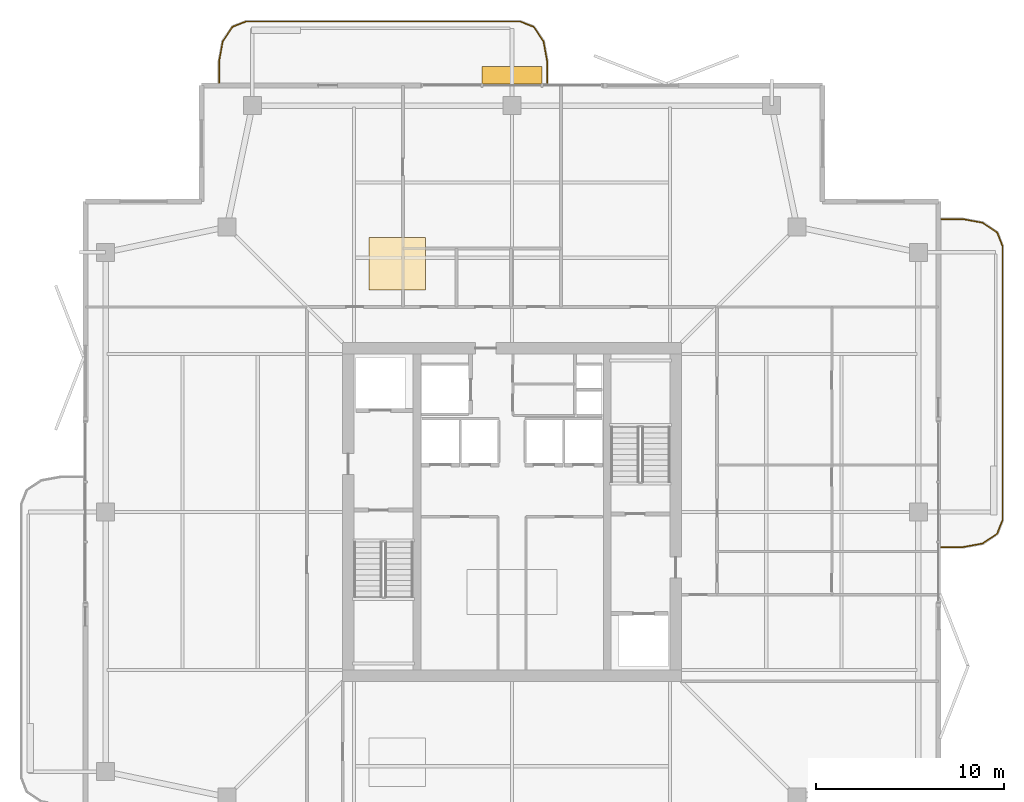
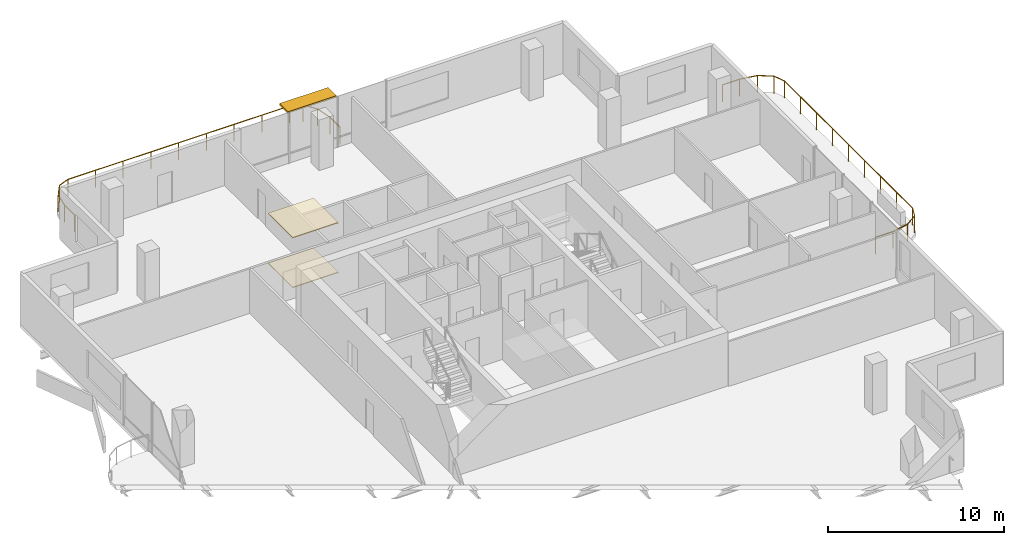
# One storey, part 18 of 18: 2 coverings, 2 railings, 1 shading device.
"""IFC4 building model written with IfcOpenShell, lengths in metres."""

from ifc_helpers import new_model, si_unit, direction, frame, origin, origin_2d, place, context, subcontext, project, spatial, polyline, rectangle, outline, extrude, material, layer, layer_set, type_object, element, save


model = new_model("IFC4")

# Units and contexts
model_context = context("Model", 3, precision=1e-05, world=origin(), true_north=direction((0.0, 1.0)))
body_context = subcontext(model_context, "Body", "Model", "MODEL_VIEW")
ifc_project = project(units=[si_unit("LENGTHUNIT", "METRE"), si_unit("AREAUNIT", "SQUARE_METRE"), si_unit("VOLUMEUNIT", "CUBIC_METRE"), si_unit("PLANEANGLEUNIT", "RADIAN"), si_unit("MASSUNIT", "GRAM", prefix="KILO")], contexts=[model_context])

# Site, building, storey
site_placement = place(None, origin())
site = spatial("IfcSite", under=ifc_project, at=site_placement, CompositionType="ELEMENT")
building_placement = place(site_placement, origin())
building = spatial("IfcBuilding", under=site, at=building_placement, Name="Belovzor Exchange Tower", CompositionType="ELEMENT")
storey_placement = place(building_placement, frame((0.0, 0.0, 318.0)))
storey = spatial("IfcBuildingStorey", under=building, at=storey_placement, Name="L79", CompositionType="ELEMENT", Elevation=318.0)

# Railings
ifc_material_1 = material(Name="Stainless Steel and Laminated Safety Glass", Category="steel")
railing_type = type_object("IfcRailingType", Name="Laminated Glass & Stainless Steel Balcony Balustrade 1200", PredefinedType="BALUSTRADE", material=ifc_material_1)
railing_1_placement = place(storey_placement, frame((30.669921875, 51.610107421875, 0.0)))
element("IfcRailing", 1, at=railing_1_placement, inside=storey, type_object=railing_type, Name="GR-1 Balcony Balustrade L79 North", PredefinedType="BALUSTRADE", context=body_context, shape_type="SweptSolid", body=[
    extrude(rectangle(XDim=0.048095703125, YDim=0.048095703125, at=origin_2d()), frame((0.0, 0.0, 1.17578125), z_axis=(0.0, 1.0, 0.0), x_axis=(-1.0, 0.0, 0.0)), (0.0, 0.0, 1.0), 1.1328125),
    extrude(rectangle(XDim=0.048095703125, YDim=0.048095703125, at=origin_2d()), frame((0.0, 1.1328125, 1.17578125), z_axis=(-0.180083182347, 0.983651385113, 0.0), x_axis=(-0.983651385113, -0.180083182347, 0.0)), (0.0, 0.0, 1.0), 1.093994140625),
    extrude(rectangle(XDim=0.048095703125, YDim=0.048095703125, at=origin_2d()), frame((-0.197021484375, 2.208984375, 1.17578125), z_axis=(-0.562768145367, 0.826614792125, 0.0), x_axis=(-0.826614792125, -0.562768145367, 0.0)), (0.0, 0.0, 1.0), 0.9326171875),
    extrude(rectangle(XDim=0.048095703125, YDim=0.048095703125, at=origin_2d()), frame((-0.721923828125, 2.97998046875, 1.17578125), z_axis=(-0.930766990125, 0.365612923861, 0.0), x_axis=(-0.365612923861, -0.930766990125, 0.0)), (0.0, 0.0, 1.0), 0.765869140625),
    extrude(rectangle(XDim=0.048095703125, YDim=0.048095703125, at=origin_2d()), frame((-1.434814453125, 3.260009765625, 1.17578125), z_axis=(-1.0, 0.0, 0.0), x_axis=(0.0, -1.0, 0.0)), (0.0, 0.0, 1.0), 14.570068359375),
    extrude(rectangle(XDim=0.048095703125, YDim=0.048095703125, at=origin_2d()), frame((-16.0048828125, 3.260009765625, 1.17578125), z_axis=(-0.930809580156, -0.365504480807, 0.0), x_axis=(0.365504480807, -0.930809580156, 0.0)), (0.0, 0.0, 1.0), 0.76611328125),
    extrude(rectangle(XDim=0.048095703125, YDim=0.048095703125, at=origin_2d()), frame((-16.718017578125, 2.97998046875, 1.17578125), z_axis=(-0.562768145367, -0.826614792125, 0.0), x_axis=(0.826614792125, -0.562768145367, 0.0)), (0.0, 0.0, 1.0), 0.9326171875),
    extrude(rectangle(XDim=0.048095703125, YDim=0.048095703125, at=origin_2d()), frame((-17.242919921875, 2.208984375, 1.17578125), z_axis=(-0.180083182347, -0.983651385113, 0.0), x_axis=(0.983651385113, -0.180083182347, 0.0)), (0.0, 0.0, 1.0), 1.093994140625),
    extrude(rectangle(XDim=0.048095703125, YDim=0.048095703125, at=origin_2d()), frame((-17.43994140625, 1.1328125, 1.17578125), z_axis=(0.0, -1.0, 0.0), x_axis=(1.0, 0.0, 0.0)), (0.0, 0.0, 1.0), 1.1328125),
    extrude(rectangle(XDim=0.0419921875, YDim=0.0419921875, at=origin_2d()), origin(), (0.0, 0.0, 1.0), 1.15185546875),
    extrude(rectangle(XDim=0.0419921875, YDim=0.0419921875, at=origin_2d()), frame((0.0, 1.1328125, 0.0)), (0.0, 0.0, 1.0), 1.15185546875),
    extrude(rectangle(XDim=0.0419921875, YDim=0.0419921875, at=origin_2d()), frame((-0.197021484375, 2.208984375, 0.0)), (0.0, 0.0, 1.0), 1.15185546875),
    extrude(rectangle(XDim=0.0419921875, YDim=0.0419921875, at=origin_2d()), frame((-0.721923828125, 2.97998046875, 0.0)), (0.0, 0.0, 1.0), 1.15185546875),
    extrude(rectangle(XDim=0.0419921875, YDim=0.0419921875, at=origin_2d()), frame((-1.434814453125, 3.260009765625, 0.0)), (0.0, 0.0, 1.0), 1.15185546875),
    extrude(rectangle(XDim=0.0419921875, YDim=0.0419921875, at=origin_2d()), frame((-3.256103515625, 3.260009765625, 0.0)), (0.0, 0.0, 1.0), 1.15185546875),
    extrude(rectangle(XDim=0.0419921875, YDim=0.0419921875, at=origin_2d()), frame((-5.077392578125, 3.260009765625, 0.0)), (0.0, 0.0, 1.0), 1.15185546875),
    extrude(rectangle(XDim=0.0419921875, YDim=0.0419921875, at=origin_2d()), frame((-6.898681640625, 3.260009765625, 0.0)), (0.0, 0.0, 1.0), 1.15185546875),
    extrude(rectangle(XDim=0.0419921875, YDim=0.0419921875, at=origin_2d()), frame((-8.7197265625, 3.260009765625, 0.0)), (0.0, 0.0, 1.0), 1.15185546875),
    extrude(rectangle(XDim=0.0419921875, YDim=0.0419921875, at=origin_2d()), frame((-10.541015625, 3.260009765625, 0.0)), (0.0, 0.0, 1.0), 1.15185546875),
    extrude(rectangle(XDim=0.0419921875, YDim=0.0419921875, at=origin_2d()), frame((-12.3623046875, 3.260009765625, 0.0)), (0.0, 0.0, 1.0), 1.15185546875),
    extrude(rectangle(XDim=0.0419921875, YDim=0.0419921875, at=origin_2d()), frame((-14.18359375, 3.260009765625, 0.0)), (0.0, 0.0, 1.0), 1.15185546875),
    extrude(rectangle(XDim=0.0419921875, YDim=0.0419921875, at=origin_2d()), frame((-16.0048828125, 3.260009765625, 0.0)), (0.0, 0.0, 1.0), 1.15185546875),
    extrude(rectangle(XDim=0.0419921875, YDim=0.0419921875, at=origin_2d()), frame((-16.718017578125, 2.97998046875, 0.0)), (0.0, 0.0, 1.0), 1.15185546875),
    extrude(rectangle(XDim=0.0419921875, YDim=0.0419921875, at=origin_2d()), frame((-17.242919921875, 2.208984375, 0.0)), (0.0, 0.0, 1.0), 1.15185546875),
    extrude(rectangle(XDim=0.0419921875, YDim=0.0419921875, at=origin_2d()), frame((-17.43994140625, 1.1328125, 0.0)), (0.0, 0.0, 1.0), 1.15185546875),
    extrude(rectangle(XDim=0.0419921875, YDim=0.0419921875, at=origin_2d()), frame((-17.43994140625, 0.0, 0.0)), (0.0, 0.0, 1.0), 1.15185546875),
])
railing_2_placement = place(storey_placement, frame((51.610107421875, 26.929931640625, 0.0)))
element("IfcRailing", 2, at=railing_2_placement, inside=storey, type_object=railing_type, Name="GR-1 Balcony Balustrade L79 East", PredefinedType="BALUSTRADE", context=body_context, shape_type="SweptSolid", body=[
    extrude(rectangle(XDim=0.048095703125, YDim=0.048095703125, at=origin_2d()), frame((0.0, 0.0, 1.17578125), z_axis=(1.0, 0.0, 0.0), x_axis=(0.0, 1.0, 0.0)), (0.0, 0.0, 1.0), 1.1328125),
    extrude(rectangle(XDim=0.048095703125, YDim=0.048095703125, at=origin_2d()), frame((1.1328125, 0.0, 1.17578125), z_axis=(0.983651385113, 0.180083182347, 0.0), x_axis=(-0.180083182347, 0.983651385113, 0.0)), (0.0, 0.0, 1.0), 1.093994140625),
    extrude(rectangle(XDim=0.048095703125, YDim=0.048095703125, at=origin_2d()), frame((2.208984375, 0.197021484375, 1.17578125), z_axis=(0.826493025367, 0.56294695933, 0.0), x_axis=(-0.56294695933, 0.826493025367, 0.0)), (0.0, 0.0, 1.0), 0.932861328125),
    extrude(rectangle(XDim=0.048095703125, YDim=0.048095703125, at=origin_2d()), frame((2.97998046875, 0.72216796875, 1.17578125), z_axis=(0.365612923861, 0.930766990125, 0.0), x_axis=(-0.930766990125, 0.365612923861, 0.0)), (0.0, 0.0, 1.0), 0.765869140625),
    extrude(rectangle(XDim=0.048095703125, YDim=0.048095703125, at=origin_2d()), frame((3.260009765625, 1.43505859375, 1.17578125), z_axis=(0.0, 1.0, 0.0), x_axis=(-1.0, 0.0, 0.0)), (0.0, 0.0, 1.0), 14.570068359375),
    extrude(rectangle(XDim=0.048095703125, YDim=0.048095703125, at=origin_2d()), frame((3.260009765625, 16.005126953125, 1.17578125), z_axis=(-0.365612923861, 0.930766990125, 0.0), x_axis=(-0.930766990125, -0.365612923861, 0.0)), (0.0, 0.0, 1.0), 0.765869140625),
    extrude(rectangle(XDim=0.048095703125, YDim=0.048095703125, at=origin_2d()), frame((2.97998046875, 16.718017578125, 1.17578125), z_axis=(-0.826493025367, 0.56294695933, 0.0), x_axis=(-0.56294695933, -0.826493025367, 0.0)), (0.0, 0.0, 1.0), 0.932861328125),
    extrude(rectangle(XDim=0.048095703125, YDim=0.048095703125, at=origin_2d()), frame((2.208984375, 17.2431640625, 1.17578125), z_axis=(-0.983651385113, 0.180083182347, 0.0), x_axis=(-0.180083182347, -0.983651385113, 0.0)), (0.0, 0.0, 1.0), 1.093994140625),
    extrude(rectangle(XDim=0.048095703125, YDim=0.048095703125, at=origin_2d()), frame((1.1328125, 17.440185546875, 1.17578125), z_axis=(-1.0, 0.0, 0.0), x_axis=(0.0, -1.0, 0.0)), (0.0, 0.0, 1.0), 1.1328125),
    extrude(rectangle(XDim=0.0419921875, YDim=0.0419921875, at=origin_2d()), origin(), (0.0, 0.0, 1.0), 1.15185546875),
    extrude(rectangle(XDim=0.0419921875, YDim=0.0419921875, at=origin_2d()), frame((1.1328125, 0.0, 0.0)), (0.0, 0.0, 1.0), 1.15185546875),
    extrude(rectangle(XDim=0.0419921875, YDim=0.0419921875, at=origin_2d()), frame((2.208984375, 0.197021484375, 0.0)), (0.0, 0.0, 1.0), 1.15185546875),
    extrude(rectangle(XDim=0.0419921875, YDim=0.0419921875, at=origin_2d()), frame((2.97998046875, 0.72216796875, 0.0)), (0.0, 0.0, 1.0), 1.15185546875),
    extrude(rectangle(XDim=0.0419921875, YDim=0.0419921875, at=origin_2d()), frame((3.260009765625, 1.43505859375, 0.0)), (0.0, 0.0, 1.0), 1.15185546875),
    extrude(rectangle(XDim=0.0419921875, YDim=0.0419921875, at=origin_2d()), frame((3.260009765625, 3.25634765625, 0.0)), (0.0, 0.0, 1.0), 1.15185546875),
    extrude(rectangle(XDim=0.0419921875, YDim=0.0419921875, at=origin_2d()), frame((3.260009765625, 5.07763671875, 0.0)), (0.0, 0.0, 1.0), 1.15185546875),
    extrude(rectangle(XDim=0.0419921875, YDim=0.0419921875, at=origin_2d()), frame((3.260009765625, 6.89892578125, 0.0)), (0.0, 0.0, 1.0), 1.15185546875),
    extrude(rectangle(XDim=0.0419921875, YDim=0.0419921875, at=origin_2d()), frame((3.260009765625, 8.72021484375, 0.0)), (0.0, 0.0, 1.0), 1.15185546875),
    extrude(rectangle(XDim=0.0419921875, YDim=0.0419921875, at=origin_2d()), frame((3.260009765625, 10.541259765625, 0.0)), (0.0, 0.0, 1.0), 1.15185546875),
    extrude(rectangle(XDim=0.0419921875, YDim=0.0419921875, at=origin_2d()), frame((3.260009765625, 12.362548828125, 0.0)), (0.0, 0.0, 1.0), 1.15185546875),
    extrude(rectangle(XDim=0.0419921875, YDim=0.0419921875, at=origin_2d()), frame((3.260009765625, 14.183837890625, 0.0)), (0.0, 0.0, 1.0), 1.15185546875),
    extrude(rectangle(XDim=0.0419921875, YDim=0.0419921875, at=origin_2d()), frame((3.260009765625, 16.005126953125, 0.0)), (0.0, 0.0, 1.0), 1.15185546875),
    extrude(rectangle(XDim=0.0419921875, YDim=0.0419921875, at=origin_2d()), frame((2.97998046875, 16.718017578125, 0.0)), (0.0, 0.0, 1.0), 1.15185546875),
    extrude(rectangle(XDim=0.0419921875, YDim=0.0419921875, at=origin_2d()), frame((2.208984375, 17.2431640625, 0.0)), (0.0, 0.0, 1.0), 1.15185546875),
    extrude(rectangle(XDim=0.0419921875, YDim=0.0419921875, at=origin_2d()), frame((1.1328125, 17.440185546875, 0.0)), (0.0, 0.0, 1.0), 1.15185546875),
    extrude(rectangle(XDim=0.0419921875, YDim=0.0419921875, at=origin_2d()), frame((0.0, 17.440185546875, 0.0)), (0.0, 0.0, 1.0), 1.15185546875),
])

# Coverings
ifc_material_2 = material(Name="Perforated Powder-Coated Aluminium", Category="aluminium")
ifc_layer_1 = layer(ifc_material_2, 0.06005859375)
ifc_layer_set_1 = layer_set([ifc_layer_1], Name="Perforated Powder-Coated Aluminium")
covering_type_1 = type_object("IfcCoveringType", Name="Perforated Acoustic Metal Tile Suspended Ceiling 60", PredefinedType="CEILING", material=ifc_layer_set_1)
covering_1_placement = place(storey_placement, frame((0.0, 0.0, 3.449951171875)))
element("IfcCovering", 3, at=covering_1_placement, inside=storey, type_object=covering_type_1, Name="CLG-AC60 Suspended Ceiling CLG-L79-Z3", PredefinedType="CEILING", context=body_context, shape_type="SweptSolid", body=[
    extrude(outline(polyline([(21.199951171875, 40.60009765625), (24.199951171875, 40.60009765625), (24.199951171875, 43.39990234375), (21.199951171875, 43.39990234375), (21.199951171875, 40.60009765625)])), origin(), (0.0, 0.0, 1.0), 0.06005859375),
])
ifc_material_3 = material(Name="Polished Natural Granite Tile", Category="masonry")
ifc_layer_2 = layer(ifc_material_3, 0.050048828125)
ifc_layer_set_2 = layer_set([ifc_layer_2], Name="Polished Natural Granite Tile")
covering_type_2 = type_object("IfcCoveringType", Name="Polished Karelian Granite & Raised Access Floor Finish 50", PredefinedType="FLOORING", material=ifc_layer_set_2)
covering_2_placement = place(storey_placement, origin())
element("IfcCovering", 4, at=covering_2_placement, inside=storey, type_object=covering_type_2, Name="FLR-GR50 Floor Finish FLR-L79-Z3", PredefinedType="FLOORING", context=body_context, shape_type="SweptSolid", body=[
    extrude(outline(polyline([(21.199951171875, 40.60009765625), (24.199951171875, 40.60009765625), (24.199951171875, 43.39990234375), (21.199951171875, 43.39990234375), (21.199951171875, 40.60009765625)])), origin(), (0.0, 0.0, 1.0), 0.050048828125),
])

# Shading device
ifc_material_4 = material(Name="Extruded Architectural Terracotta", Category="masonry")
ifc_layer_3 = layer(ifc_material_4, 0.1201171875)
ifc_layer_set_3 = layer_set([ifc_layer_3], Name="Extruded Architectural Terracotta")
shading_device_type = type_object("IfcShadingDeviceType", Name="Streamline Terracotta Horizontal Sunshade Hood 950", PredefinedType="AWNING", material=ifc_layer_set_3)
shading_device_placement = place(storey_placement, frame((28.800048828125, 52.014892578125, 3.389892578125), z_axis=(0.0, 0.0, 1.0), x_axis=(1.0, 0.0, 0.0)))
element("IfcShadingDevice", 5, at=shading_device_placement, inside=storey, type_object=shading_device_type, Name="SHD-TC095 Terracotta Sunshade L79 N", PredefinedType="AWNING", context=body_context, shape_type="SweptSolid", body=[
    extrude(rectangle(XDim=3.199951171875, YDim=0.949951171875, at=origin_2d()), origin(), (0.0, 0.0, 1.0), 0.1201171875),
])

save(model, "model.ifc")
